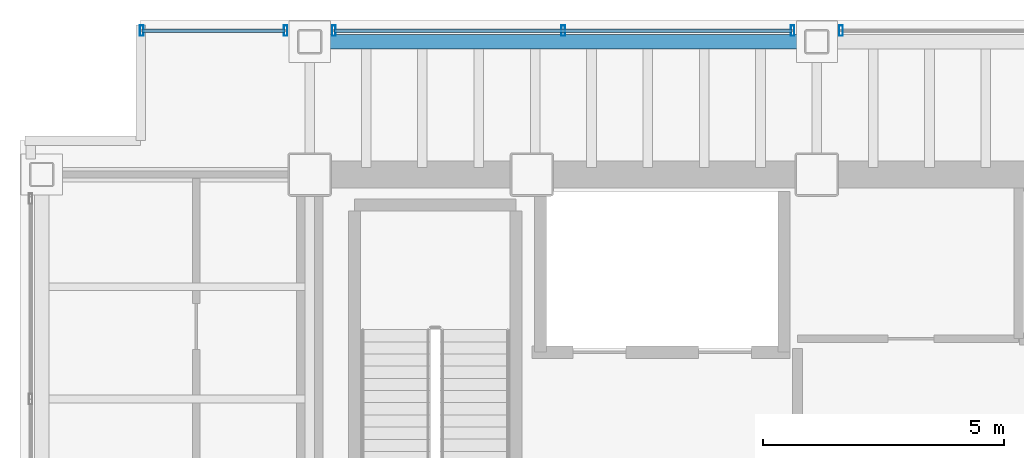
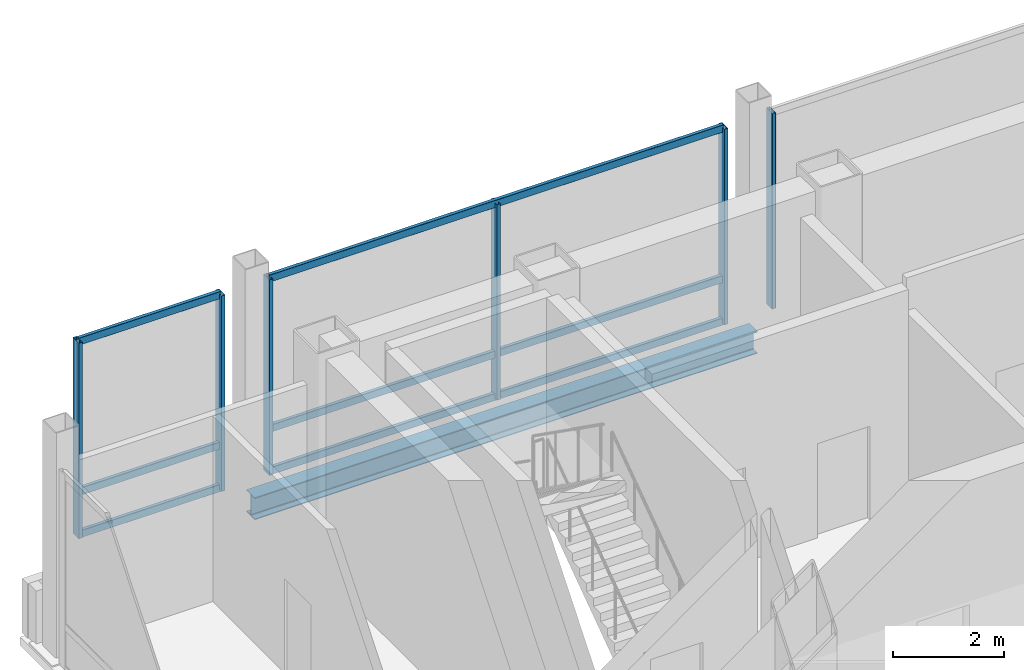
# One storey, part 14 of 22: 12 members, 1 beam, 3 elements without a shape of their own.
"""IFC4 building model written with IfcOpenShell, lengths in metres."""

from ifc_helpers import new_model, si_unit, direction, frame, origin, origin_2d, place, context, subcontext, project, spatial, hollow_rectangle, i_section, extrude, material, material_profile, profile_set, type_object, element, aggregate, save


model = new_model("IFC4")

# Units and contexts
model_context = context("Model", 3, precision=1e-05, world=origin(), true_north=direction((0.0, 1.0)))
body_context = subcontext(model_context, "Body", "Model", "MODEL_VIEW")
ifc_project = project(units=[si_unit("LENGTHUNIT", "METRE"), si_unit("AREAUNIT", "SQUARE_METRE"), si_unit("VOLUMEUNIT", "CUBIC_METRE"), si_unit("PLANEANGLEUNIT", "RADIAN"), si_unit("MASSUNIT", "GRAM", prefix="KILO")], contexts=[model_context])

# Site, building, storey
site_placement = place(None, origin())
site = spatial("IfcSite", under=ifc_project, at=site_placement, CompositionType="ELEMENT")
building_placement = place(site_placement, origin())
building = spatial("IfcBuilding", under=site, at=building_placement, Name="Noeulbin Bourse Tower", CompositionType="ELEMENT")
storey_placement = place(building_placement, frame((0.0, 0.0, 106.0)))
storey = spatial("IfcBuildingStorey", under=building, at=storey_placement, Name="L26", CompositionType="ELEMENT", Elevation=106.0)

# Beam
ifc_material_1 = material(Name="Steel S355", Category="steel")
ifc_material_profile_1 = material_profile(ifc_material_1, i_section(OverallWidth=0.300048828125, OverallDepth=0.488037109375, WebThickness=0.010986328125, FlangeThickness=0.01806640625, FilletRadius=0.02197265625, at=origin_2d()), Name="H-488x300x11x18", Category="LoadBearing")
ifc_profile_set_1 = profile_set([ifc_material_profile_1], Name="Steel S355")
beam_type = type_object("IfcBeamType", Name="BM-SPN-488", PredefinedType="SPANDREL", material=ifc_profile_set_1)
beam_placement = place(storey_placement, frame((13.5, 41.050048828125, -0.424072265625), z_axis=(1.0, 0.0, 0.0), x_axis=(0.0, 1.0, 0.0)))
element("IfcBeam", 1, at=beam_placement, inside=storey, type_object=beam_type, Name="North Spandrel L26-1", PredefinedType="SPANDREL", context=body_context, shape_type="SweptSolid", body=[
    extrude(i_section(OverallWidth=0.300048828125, OverallDepth=0.488037109375, WebThickness=0.010986328125, FlangeThickness=0.01806640625, FilletRadius=0.02197265625, at=origin_2d()), origin(), (0.0, 0.0, 1.0), 10.5),
])

# Curtain wall, members
ifc_material_2 = material(Name="Dark Tinted Triple Glazing", Category="glass")
curtain_wall_type = type_object("IfcCurtainWallType", Name="CW-SYS-3", PredefinedType="NOTDEFINED", material=ifc_material_2)
curtain_wall_1_placement = place(storey_placement, origin())
curtain_wall_1 = element("IfcCurtainWall", 2, at=curtain_wall_1_placement, inside=storey, type_object=curtain_wall_type, Name="Unitised Curtain Wall CW-L26-N-S1", PredefinedType="NOTDEFINED")
ifc_material_3 = material(Name="Anodised Aluminium 6063-T6", Category="aluminium")
ifc_material_profile_2 = material_profile(ifc_material_3, hollow_rectangle(XDim=0.074951171875, YDim=0.219970703125, WallThickness=0.0048828125, InnerFilletRadius=0.00244140625, OuterFilletRadius=0.0048828125, at=origin_2d()), Name="ALU-MULL-75x220x5", Category="LoadBearing")
ifc_profile_set_2 = profile_set([ifc_material_profile_2], Name="Anodised Aluminium 6063-T6")
member_type_1 = type_object("IfcMemberType", Name="CW-SYS-3-MUL", PredefinedType="MULLION", material=ifc_profile_set_2)
member_1_placement = place(storey_placement, frame((10.02001953125, 41.280029296875, -0.02001953125), z_axis=(0.0, 0.0, 1.0), x_axis=(1.0, 0.0, 0.0)))
member_1 = element("IfcMember", 3, at=member_1_placement, type_object=member_type_1, Name="Curtain Wall Mullion CW-L26-N-S1-M00", PredefinedType="MULLION", context=body_context, shape_type="SweptSolid", body=[
    extrude(hollow_rectangle(XDim=0.074951171875, YDim=0.219970703125, WallThickness=0.0048828125, InnerFilletRadius=0.00244140625, OuterFilletRadius=0.0048828125, at=origin_2d()), origin(), (0.0, 0.0, 1.0), 4.320068359375),
])
member_2_placement = place(storey_placement, frame((13.0, 41.280029296875, -0.02001953125), z_axis=(0.0, 0.0, 1.0), x_axis=(1.0, 0.0, 0.0)))
member_2 = element("IfcMember", 4, at=member_2_placement, type_object=member_type_1, Name="Curtain Wall Mullion CW-L26-N-S1-M01", PredefinedType="MULLION", context=body_context, shape_type="SweptSolid", body=[
    extrude(hollow_rectangle(XDim=0.074951171875, YDim=0.219970703125, WallThickness=0.0048828125, InnerFilletRadius=0.00244140625, OuterFilletRadius=0.0048828125, at=origin_2d()), origin(), (0.0, 0.0, 1.0), 4.320068359375),
])

curtain_wall_2_placement = place(storey_placement, origin())
curtain_wall_2 = element("IfcCurtainWall", 5, at=curtain_wall_2_placement, inside=storey, type_object=curtain_wall_type, Name="Unitised Curtain Wall CW-L26-N-S2", PredefinedType="NOTDEFINED")
member_3_placement = place(storey_placement, frame((14.0, 41.280029296875, -0.02001953125), z_axis=(0.0, 0.0, 1.0), x_axis=(1.0, 0.0, 0.0)))
member_3 = element("IfcMember", 6, at=member_3_placement, type_object=member_type_1, Name="Curtain Wall Mullion CW-L26-N-S2-M00", PredefinedType="MULLION", context=body_context, shape_type="SweptSolid", body=[
    extrude(hollow_rectangle(XDim=0.074951171875, YDim=0.219970703125, WallThickness=0.0048828125, InnerFilletRadius=0.00244140625, OuterFilletRadius=0.0048828125, at=origin_2d()), origin(), (0.0, 0.0, 1.0), 4.320068359375),
])
member_4_placement = place(storey_placement, frame((18.75, 41.280029296875, -0.02001953125), z_axis=(0.0, 0.0, 1.0), x_axis=(1.0, 0.0, 0.0)))
member_4 = element("IfcMember", 7, at=member_4_placement, type_object=member_type_1, Name="Curtain Wall Mullion CW-L26-N-S2-M01", PredefinedType="MULLION", context=body_context, shape_type="SweptSolid", body=[
    extrude(hollow_rectangle(XDim=0.074951171875, YDim=0.219970703125, WallThickness=0.0048828125, InnerFilletRadius=0.00244140625, OuterFilletRadius=0.0048828125, at=origin_2d()), origin(), (0.0, 0.0, 1.0), 4.320068359375),
])
member_5_placement = place(storey_placement, frame((23.5, 41.280029296875, -0.02001953125), z_axis=(0.0, 0.0, 1.0), x_axis=(1.0, 0.0, 0.0)))
member_5 = element("IfcMember", 8, at=member_5_placement, type_object=member_type_1, Name="Curtain Wall Mullion CW-L26-N-S2-M02", PredefinedType="MULLION", context=body_context, shape_type="SweptSolid", body=[
    extrude(hollow_rectangle(XDim=0.074951171875, YDim=0.219970703125, WallThickness=0.0048828125, InnerFilletRadius=0.00244140625, OuterFilletRadius=0.0048828125, at=origin_2d()), origin(), (0.0, 0.0, 1.0), 4.320068359375),
])

# Curtain wall, member
curtain_wall_3_placement = place(storey_placement, origin())
curtain_wall_3 = element("IfcCurtainWall", 9, at=curtain_wall_3_placement, inside=storey, type_object=curtain_wall_type, Name="Unitised Curtain Wall CW-L26-N-S3", PredefinedType="NOTDEFINED")
member_6_placement = place(storey_placement, frame((24.5, 41.280029296875, -0.02001953125), z_axis=(0.0, 0.0, 1.0), x_axis=(1.0, 0.0, 0.0)))
member_6 = element("IfcMember", 10, at=member_6_placement, type_object=member_type_1, Name="Curtain Wall Mullion CW-L26-N-S3-M00", PredefinedType="MULLION", context=body_context, shape_type="SweptSolid", body=[
    extrude(hollow_rectangle(XDim=0.074951171875, YDim=0.219970703125, WallThickness=0.0048828125, InnerFilletRadius=0.00244140625, OuterFilletRadius=0.0048828125, at=origin_2d()), origin(), (0.0, 0.0, 1.0), 4.320068359375),
])
aggregate(curtain_wall_3, [member_6])

# Member
ifc_material_profile_3 = material_profile(ifc_material_3, hollow_rectangle(XDim=0.074951171875, YDim=0.159912109375, WallThickness=0.0048828125, InnerFilletRadius=0.00244140625, OuterFilletRadius=0.0048828125, at=origin_2d()), Name="ALU-TRAN-75x160x5", Category="LoadBearing")
ifc_profile_set_3 = profile_set([ifc_material_profile_3], Name="Anodised Aluminium 6063-T6")
member_type_2 = type_object("IfcMemberType", Name="CW-SYS-3-TRN", PredefinedType="USERDEFINED", material=ifc_profile_set_3)
member_7_placement = place(storey_placement, frame((10.030029296875, 41.280029296875, 0.010009765625), z_axis=(1.0, 0.0, 0.0), x_axis=(0.0, 1.0, 0.0)))
member_7 = element("IfcMember", 11, at=member_7_placement, type_object=member_type_2, Name="Curtain Wall Transom CW-L26-N-S1-T00", ObjectType="TRANSOM", PredefinedType="USERDEFINED", context=body_context, shape_type="SweptSolid", body=[
    extrude(hollow_rectangle(XDim=0.074951171875, YDim=0.159912109375, WallThickness=0.0048828125, InnerFilletRadius=0.00244140625, OuterFilletRadius=0.0048828125, at=origin_2d()), origin(), (0.0, 0.0, 1.0), 2.9599609375),
])

member_8_placement = place(storey_placement, frame((10.030029296875, 41.280029296875, 0.949951171875), z_axis=(1.0, 0.0, 0.0), x_axis=(0.0, 1.0, 0.0)))
member_8 = element("IfcMember", 12, at=member_8_placement, type_object=member_type_2, Name="Curtain Wall Transom CW-L26-N-S1-T01", ObjectType="TRANSOM", PredefinedType="USERDEFINED", context=body_context, shape_type="SweptSolid", body=[
    extrude(hollow_rectangle(XDim=0.074951171875, YDim=0.159912109375, WallThickness=0.0048828125, InnerFilletRadius=0.00244140625, OuterFilletRadius=0.0048828125, at=origin_2d()), origin(), (0.0, 0.0, 1.0), 2.9599609375),
])

member_9_placement = place(storey_placement, frame((10.030029296875, 41.280029296875, 4.27001953125), z_axis=(1.0, 0.0, 0.0), x_axis=(0.0, 1.0, 0.0)))
member_9 = element("IfcMember", 13, at=member_9_placement, type_object=member_type_2, Name="Curtain Wall Transom CW-L26-N-S1-T02", ObjectType="TRANSOM", PredefinedType="USERDEFINED", context=body_context, shape_type="SweptSolid", body=[
    extrude(hollow_rectangle(XDim=0.074951171875, YDim=0.159912109375, WallThickness=0.0048828125, InnerFilletRadius=0.00244140625, OuterFilletRadius=0.0048828125, at=origin_2d()), origin(), (0.0, 0.0, 1.0), 2.9599609375),
])

aggregate(curtain_wall_1, [member_1, member_2, member_7, member_8, member_9])

member_10_placement = place(storey_placement, frame((14.010009765625, 41.280029296875, 0.010009765625), z_axis=(1.0, 0.0, 0.0), x_axis=(0.0, 1.0, 0.0)))
member_10 = element("IfcMember", 14, at=member_10_placement, type_object=member_type_2, Name="Curtain Wall Transom CW-L26-N-S2-T00", ObjectType="TRANSOM", PredefinedType="USERDEFINED", context=body_context, shape_type="SweptSolid", body=[
    extrude(hollow_rectangle(XDim=0.074951171875, YDim=0.159912109375, WallThickness=0.0048828125, InnerFilletRadius=0.00244140625, OuterFilletRadius=0.0048828125, at=origin_2d()), origin(), (0.0, 0.0, 1.0), 9.47998046875),
])

member_11_placement = place(storey_placement, frame((14.010009765625, 41.280029296875, 0.949951171875), z_axis=(1.0, 0.0, 0.0), x_axis=(0.0, 1.0, 0.0)))
member_11 = element("IfcMember", 15, at=member_11_placement, type_object=member_type_2, Name="Curtain Wall Transom CW-L26-N-S2-T01", ObjectType="TRANSOM", PredefinedType="USERDEFINED", context=body_context, shape_type="SweptSolid", body=[
    extrude(hollow_rectangle(XDim=0.074951171875, YDim=0.159912109375, WallThickness=0.0048828125, InnerFilletRadius=0.00244140625, OuterFilletRadius=0.0048828125, at=origin_2d()), origin(), (0.0, 0.0, 1.0), 9.47998046875),
])

member_12_placement = place(storey_placement, frame((14.010009765625, 41.280029296875, 4.27001953125), z_axis=(1.0, 0.0, 0.0), x_axis=(0.0, 1.0, 0.0)))
member_12 = element("IfcMember", 16, at=member_12_placement, type_object=member_type_2, Name="Curtain Wall Transom CW-L26-N-S2-T02", ObjectType="TRANSOM", PredefinedType="USERDEFINED", context=body_context, shape_type="SweptSolid", body=[
    extrude(hollow_rectangle(XDim=0.074951171875, YDim=0.159912109375, WallThickness=0.0048828125, InnerFilletRadius=0.00244140625, OuterFilletRadius=0.0048828125, at=origin_2d()), origin(), (0.0, 0.0, 1.0), 9.47998046875),
])

aggregate(curtain_wall_2, [member_3, member_4, member_5, member_10, member_11, member_12])

save(model, "model.ifc")
